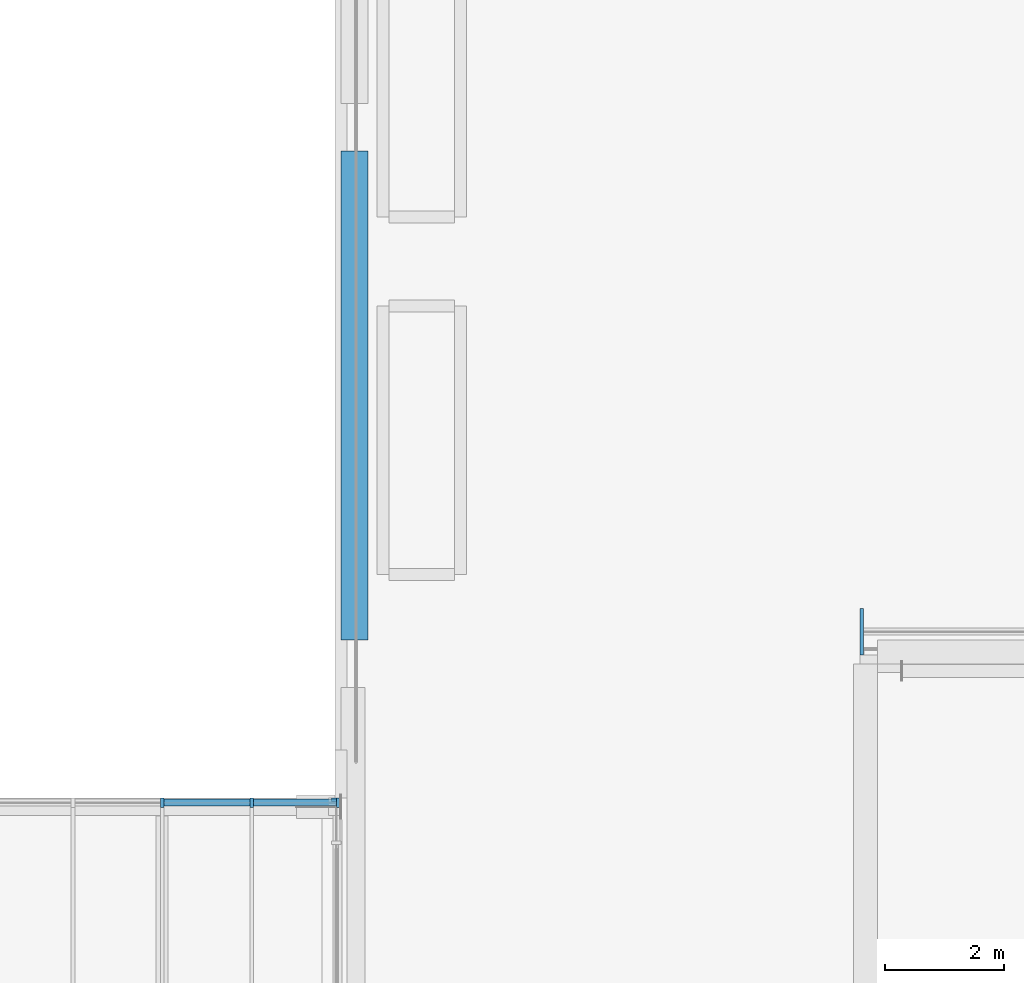
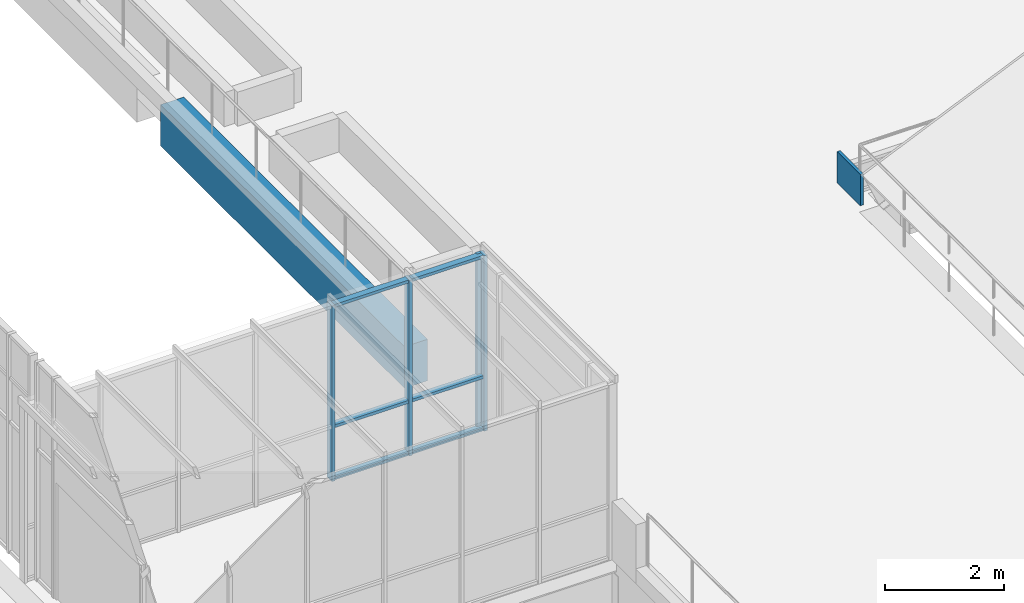
# One storey, part 27 of 106: 11 members, 1 beam, 3 elements without a shape of their own.
"""IFC4 building model written with IfcOpenShell, lengths in metres."""

from ifc_helpers import new_model, si_unit, direction, frame, origin, origin_2d, place, context, subcontext, project, spatial, rectangle, extrude, material, layer, layer_set, material_profile, profile_set, type_object, element, aggregate, save


model = new_model("IFC4")

# Units and contexts
model_context = context("Model", 3, precision=1e-05, world=origin(), true_north=direction((0.0, 1.0)))
body_context = subcontext(model_context, "Body", "Model", "MODEL_VIEW")
ifc_project = project(units=[si_unit("LENGTHUNIT", "METRE"), si_unit("AREAUNIT", "SQUARE_METRE"), si_unit("VOLUMEUNIT", "CUBIC_METRE"), si_unit("PLANEANGLEUNIT", "RADIAN"), si_unit("MASSUNIT", "GRAM", prefix="KILO")], contexts=[model_context])

# Site, building, storey
site_placement = place(None, origin())
site = spatial("IfcSite", under=ifc_project, at=site_placement, CompositionType="ELEMENT")
building_placement = place(site_placement, origin())
building = spatial("IfcBuilding", under=site, at=building_placement, Name="Guidao Yard Department Store", CompositionType="ELEMENT")
storey_placement = place(building_placement, frame((0.0, 0.0, 10.5)))
storey = spatial("IfcBuildingStorey", under=building, at=storey_placement, Name="L02", CompositionType="ELEMENT", Elevation=10.5)

# Beam
ifc_material_1 = material(Name="Concrete C40", Category="concrete")
ifc_material_profile_1 = material_profile(ifc_material_1, rectangle(XDim=0.449951171875, YDim=0.85009765625, at=origin_2d()), Name="Garden roof spandrel beam 450 x 850 C40")
ifc_profile_set_1 = profile_set([ifc_material_profile_1], Name="Concrete C40")
beam_type = type_object("IfcBeamType", Name="Garden roof spandrel beam 450 x 850 C40", PredefinedType="SPANDREL", material=ifc_profile_set_1)
beam_placement = place(storey_placement, frame((117.22509765625, 90.39990234375, -0.425048828125), z_axis=(0.0, 1.0, 0.0), x_axis=(-1.0, 0.0, 0.0)))
element("IfcBeam", 1, at=beam_placement, inside=storey, type_object=beam_type, Name="Beam EB89", PredefinedType="SPANDREL", context=body_context, shape_type="SweptSolid", body=[
    extrude(rectangle(XDim=0.449951171875, YDim=0.85009765625, at=origin_2d()), origin(), (0.0, 0.0, 1.0), 8.2001953125),
])

# Curtain wall, members
ifc_material_2 = material(Name="Aluminium and glass", Category="aluminium")
ifc_layer_1 = layer(ifc_material_2, 0.159912109375)
ifc_layer_set_1 = layer_set([ifc_layer_1], Name="Bridge glazing CW5 1500 module")
curtain_wall_type_1 = type_object("IfcCurtainWallType", Name="Bridge glazing CW5 1500 module", PredefinedType="NOTDEFINED", material=ifc_layer_set_1)
curtain_wall_1_placement = place(storey_placement, origin())
curtain_wall_1 = element("IfcCurtainWall", 2, at=curtain_wall_1_placement, inside=storey, type_object=curtain_wall_type_1, Name="Bridge glazing BR08 N", PredefinedType="NOTDEFINED")
ifc_material_3 = material(Name="Aluminium 6063-T5", Category="aluminium")
ifc_material_profile_2 = material_profile(ifc_material_3, rectangle(XDim=0.06005859375, YDim=0.159912109375, at=origin_2d()), Name="Mullion M1 60 x 160 aluminium pressure plate")
ifc_profile_set_2 = profile_set([ifc_material_profile_2], Name="Aluminium 6063-T5")
member_type_1 = type_object("IfcMemberType", Name="Mullion M1 60 x 160 aluminium pressure plate", PredefinedType="MULLION", material=ifc_profile_set_2)
member_1_placement = place(storey_placement, frame((114.0, 87.669921875, 0.0), z_axis=(0.0, 0.0, 1.0), x_axis=(1.0, 0.0, 0.0)))
member_1 = element("IfcMember", 3, at=member_1_placement, type_object=member_type_1, Name="CW-N-L02-06 mullion 5", PredefinedType="MULLION", context=body_context, shape_type="SweptSolid", body=[
    extrude(rectangle(XDim=0.06005859375, YDim=0.159912109375, at=origin_2d()), origin(), (0.0, 0.0, 1.0), 3.60009765625),
])
member_2_placement = place(storey_placement, frame((115.5, 87.669921875, 0.0), z_axis=(0.0, 0.0, 1.0), x_axis=(1.0, 0.0, 0.0)))
member_2 = element("IfcMember", 4, at=member_2_placement, type_object=member_type_1, Name="CW-N-L02-06 mullion 6", PredefinedType="MULLION", context=body_context, shape_type="SweptSolid", body=[
    extrude(rectangle(XDim=0.06005859375, YDim=0.159912109375, at=origin_2d()), origin(), (0.0, 0.0, 1.0), 3.60009765625),
])
member_3_placement = place(storey_placement, frame((116.955078125, 87.669921875, 0.0), z_axis=(0.0, 0.0, 1.0), x_axis=(1.0, 0.0, 0.0)))
member_3 = element("IfcMember", 5, at=member_3_placement, type_object=member_type_1, Name="CW-N-L02-06 mullion 7", PredefinedType="MULLION", context=body_context, shape_type="SweptSolid", body=[
    extrude(rectangle(XDim=0.06005859375, YDim=0.159912109375, at=origin_2d()), origin(), (0.0, 0.0, 1.0), 3.60009765625),
])

# Curtain wall, member
curtain_wall_2_placement = place(storey_placement, origin())
curtain_wall_2 = element("IfcCurtainWall", 6, at=curtain_wall_2_placement, inside=storey, type_object=curtain_wall_type_1, Name="Bridge end screen BR08", PredefinedType="NOTDEFINED")
member_4_placement = place(storey_placement, frame((116.919921875, 87.719970703125, 0.0), z_axis=(0.0, 0.0, 1.0), x_axis=(0.0, -1.0, 0.0)))
member_4 = element("IfcMember", 7, at=member_4_placement, type_object=member_type_1, Name="CW-E-L02-07 mullion 4", PredefinedType="MULLION", context=body_context, shape_type="SweptSolid", body=[
    extrude(rectangle(XDim=0.06005859375, YDim=0.159912109375, at=origin_2d()), origin(), (0.0, 0.0, 1.0), 3.60009765625),
])
aggregate(curtain_wall_2, [member_4])

ifc_material_4 = material(Name="Aluminium and glass", Category="aluminium")
ifc_layer_2 = layer(ifc_material_4, 0.159912109375)
ifc_layer_set_2 = layer_set([ifc_layer_2], Name="Gable glazing CW7 1500 module")
curtain_wall_type_2 = type_object("IfcCurtainWallType", Name="Gable glazing CW7 1500 module", PredefinedType="NOTDEFINED", material=ifc_layer_set_2)
curtain_wall_3_placement = place(storey_placement, origin())
curtain_wall_3 = element("IfcCurtainWall", 8, at=curtain_wall_3_placement, inside=storey, type_object=curtain_wall_type_2, Name="Gable glazing FN1", PredefinedType="NOTDEFINED")
ifc_material_5 = material(Name="Aluminium 6063-T5", Category="aluminium")
ifc_material_profile_3 = material_profile(ifc_material_5, rectangle(XDim=0.06005859375, YDim=0.780029296875, at=origin_2d()), Name="Mullion M3 60 x 780 aluminium pressure plate")
ifc_profile_set_3 = profile_set([ifc_material_profile_3], Name="Aluminium 6063-T5")
member_type_2 = type_object("IfcMemberType", Name="Mullion M3 60 x 780 aluminium pressure plate", PredefinedType="MULLION", material=ifc_profile_set_3)
member_5_placement = place(storey_placement, frame((125.7333984375, 90.5400390625, 0.0), z_axis=(0.0, 0.0, 1.0), x_axis=(1.0, 0.0, 0.0)))
member_5 = element("IfcMember", 9, at=member_5_placement, type_object=member_type_2, Name="CW-TFN1 mullion 1", PredefinedType="MULLION", context=body_context, shape_type="SweptSolid", body=[
    extrude(rectangle(XDim=0.06005859375, YDim=0.780029296875, at=origin_2d()), origin(), (0.0, 0.0, 1.0), 0.640869140625),
])
aggregate(curtain_wall_3, [member_5])

# Member
ifc_material_6 = material(Name="Aluminium 6063-T5", Category="aluminium")
ifc_material_profile_4 = material_profile(ifc_material_6, rectangle(XDim=0.1201171875, YDim=0.06005859375, at=origin_2d()), Name="Transom T1 60 x 120 aluminium pressure plate")
ifc_profile_set_4 = profile_set([ifc_material_profile_4], Name="Aluminium 6063-T5")
member_type_3 = type_object("IfcMemberType", Name="Transom T1 60 x 120 aluminium pressure plate", PredefinedType="USERDEFINED", material=ifc_profile_set_4)
member_6_placement = place(storey_placement, frame((114.030029296875, 87.669921875, 0.030029296875), z_axis=(1.0, 0.0, 0.0), x_axis=(0.0, 1.0, 0.0)))
member_6 = element("IfcMember", 10, at=member_6_placement, type_object=member_type_3, Name="CW-N-L02-06 transom 5.1", ObjectType="TRANSOM", PredefinedType="USERDEFINED", context=body_context, shape_type="SweptSolid", body=[
    extrude(rectangle(XDim=0.1201171875, YDim=0.06005859375, at=origin_2d()), origin(), (0.0, 0.0, 1.0), 1.43994140625),
])

member_7_placement = place(storey_placement, frame((114.030029296875, 87.669921875, 1.10009765625), z_axis=(1.0, 0.0, 0.0), x_axis=(0.0, 1.0, 0.0)))
member_7 = element("IfcMember", 11, at=member_7_placement, type_object=member_type_3, Name="CW-N-L02-06 transom 5.2", ObjectType="TRANSOM", PredefinedType="USERDEFINED", context=body_context, shape_type="SweptSolid", body=[
    extrude(rectangle(XDim=0.1201171875, YDim=0.06005859375, at=origin_2d()), origin(), (0.0, 0.0, 1.0), 1.43994140625),
])

member_8_placement = place(storey_placement, frame((114.030029296875, 87.669921875, 3.570068359375), z_axis=(1.0, 0.0, 0.0), x_axis=(0.0, 1.0, 0.0)))
member_8 = element("IfcMember", 12, at=member_8_placement, type_object=member_type_3, Name="CW-N-L02-06 transom 5.3", ObjectType="TRANSOM", PredefinedType="USERDEFINED", context=body_context, shape_type="SweptSolid", body=[
    extrude(rectangle(XDim=0.1201171875, YDim=0.06005859375, at=origin_2d()), origin(), (0.0, 0.0, 1.0), 1.43994140625),
])

member_9_placement = place(storey_placement, frame((115.530029296875, 87.669921875, 0.030029296875), z_axis=(1.0, 0.0, 0.0), x_axis=(0.0, 1.0, 0.0)))
member_9 = element("IfcMember", 13, at=member_9_placement, type_object=member_type_3, Name="CW-N-L02-06 transom 6.1", ObjectType="TRANSOM", PredefinedType="USERDEFINED", context=body_context, shape_type="SweptSolid", body=[
    extrude(rectangle(XDim=0.1201171875, YDim=0.06005859375, at=origin_2d()), origin(), (0.0, 0.0, 1.0), 1.39501953125),
])

member_10_placement = place(storey_placement, frame((115.530029296875, 87.669921875, 1.10009765625), z_axis=(1.0, 0.0, 0.0), x_axis=(0.0, 1.0, 0.0)))
member_10 = element("IfcMember", 14, at=member_10_placement, type_object=member_type_3, Name="CW-N-L02-06 transom 6.2", ObjectType="TRANSOM", PredefinedType="USERDEFINED", context=body_context, shape_type="SweptSolid", body=[
    extrude(rectangle(XDim=0.1201171875, YDim=0.06005859375, at=origin_2d()), origin(), (0.0, 0.0, 1.0), 1.39501953125),
])

member_11_placement = place(storey_placement, frame((115.530029296875, 87.669921875, 3.570068359375), z_axis=(1.0, 0.0, 0.0), x_axis=(0.0, 1.0, 0.0)))
member_11 = element("IfcMember", 15, at=member_11_placement, type_object=member_type_3, Name="CW-N-L02-06 transom 6.3", ObjectType="TRANSOM", PredefinedType="USERDEFINED", context=body_context, shape_type="SweptSolid", body=[
    extrude(rectangle(XDim=0.1201171875, YDim=0.06005859375, at=origin_2d()), origin(), (0.0, 0.0, 1.0), 1.39501953125),
])

aggregate(curtain_wall_1, [member_1, member_2, member_3, member_6, member_7, member_8, member_9, member_10, member_11])

save(model, "model.ifc")
